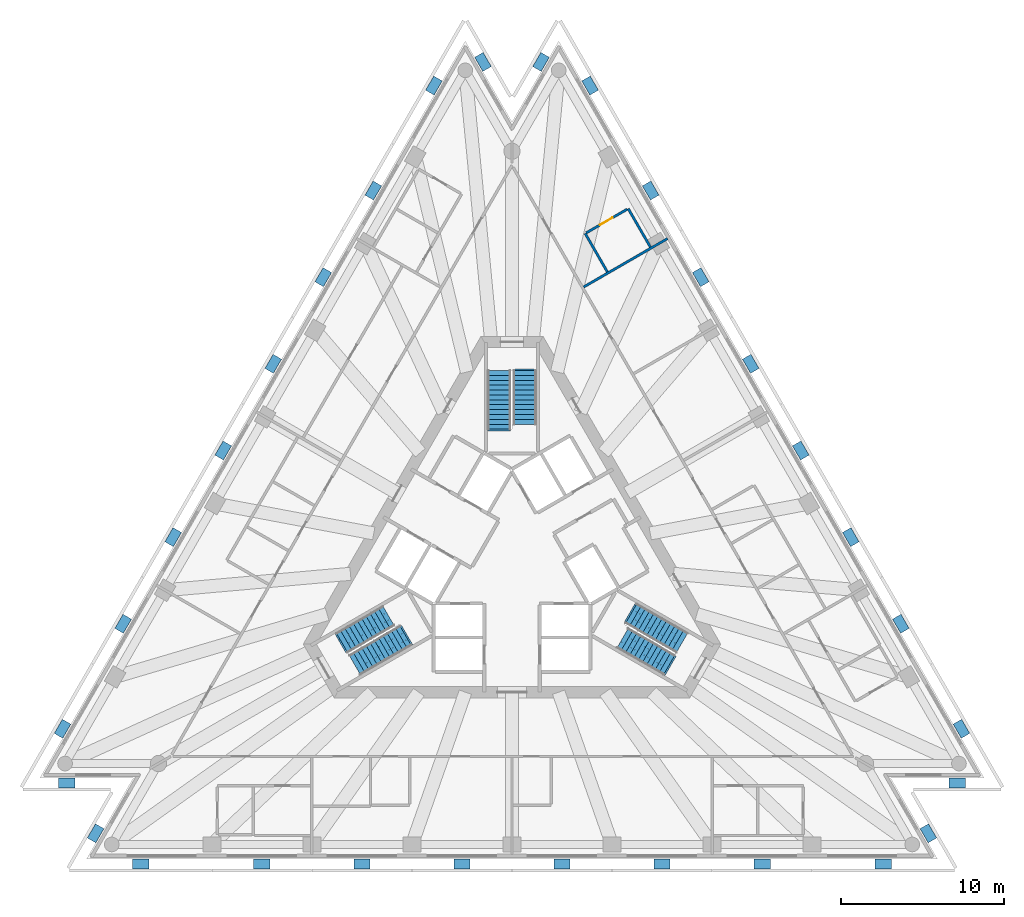
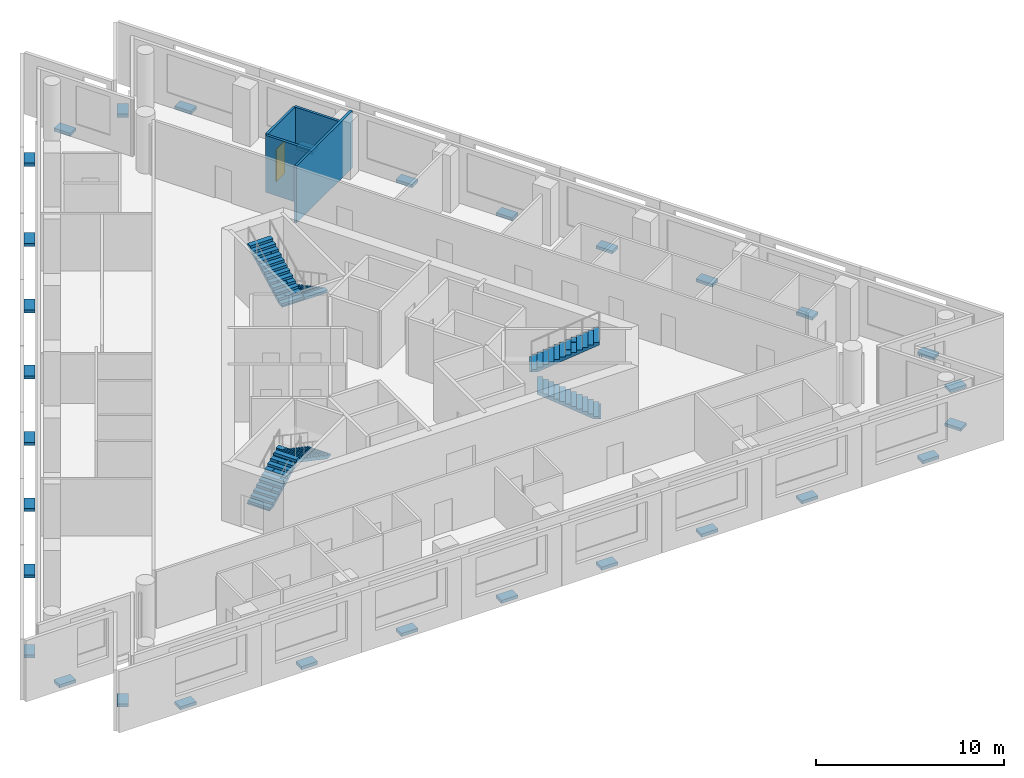
# One storey, part 7 of 9: 30 discrete accessories, 6 stair flights, 4 walls, 1 door, 1 opening, 3 elements without a shape of their own.
"""IFC4 building model written with IfcOpenShell, lengths in metres."""

from ifc_helpers import new_model, si_unit, direction, frame, frame_2d, origin, origin_2d, place, context, subcontext, project, spatial, polyline, rectangle, outline, extrude, material, layer, layer_set, type_object, element, fill, aggregate, save


model = new_model("IFC4")

# Units and contexts
model_context = context("Model", 3, precision=1e-05, world=origin(), true_north=direction((0.0, 1.0)))
body_context = subcontext(model_context, "Body", "Model", "MODEL_VIEW")
ifc_project = project(units=[si_unit("LENGTHUNIT", "METRE"), si_unit("AREAUNIT", "SQUARE_METRE"), si_unit("VOLUMEUNIT", "CUBIC_METRE"), si_unit("PLANEANGLEUNIT", "RADIAN"), si_unit("MASSUNIT", "GRAM", prefix="KILO")], contexts=[model_context])

# Site, building, storey
site_placement = place(None, origin())
site = spatial("IfcSite", under=ifc_project, at=site_placement, CompositionType="ELEMENT")
building_placement = place(site_placement, origin())
building = spatial("IfcBuilding", under=site, at=building_placement, Name="Triada Interchange Tower", CompositionType="ELEMENT")
storey_placement = place(building_placement, frame((0.0, 0.0, 211.300048828125)))
storey = spatial("IfcBuildingStorey", under=building, at=storey_placement, Name="L49", CompositionType="ELEMENT", Elevation=211.300048828125)

# Walls
ifc_material_1 = material(Name="Gypsum board partition")
ifc_layer_1 = layer(ifc_material_1, 0.14990234375)
ifc_layer_set_1 = layer_set([ifc_layer_1], Name="PARTITION 150 EI 180")
wall_type_1 = type_object("IfcWallType", Name="PARTITION 150 EI 180", PredefinedType="PARTITIONING", material=ifc_layer_set_1)
wall_1_placement = place(storey_placement, frame((4.39990234375, 16.72998046875, 0.0), z_axis=(0.0, 0.0, 1.0), x_axis=(0.866064581528, 0.499932136017, 0.0)))
element("IfcWall", 1, at=wall_1_placement, inside=storey, type_object=wall_type_1, Name="Wall L47 23", PredefinedType="PARTITIONING", context=body_context, shape_type="SweptSolid", body=[
    extrude(rectangle(XDim=5.946533203125, YDim=0.14990234375, at=frame_2d((2.97314453125, 0.0))), origin(), (0.0, 0.0, 1.0), 3.699951171875),
])
ifc_layer_2 = layer(ifc_material_1, 0.14990234375)
ifc_layer_set_2 = layer_set([ifc_layer_2], Name="PARTITION 150 EI 90")
wall_type_2 = type_object("IfcWallType", Name="PARTITION 150 EI 90", PredefinedType="PARTITIONING", material=ifc_layer_set_2)
for number, where, z_axis, x_axis, name in (
    (2, (7.135986328125, 21.5419921875, 0.0), (0.0, 0.0, 1.0), (0.499849133735, -0.866112488944, 0.0), "Wall L47 46"),
    (3, (4.493896484375, 20.01708984375, 0.0), (0.0, 0.0, 1.0), (0.499849133735, -0.866112488944, 0.0), "Wall L47 48"),
):
    element("IfcWall", number, at=place(storey_placement, frame(where, z_axis=z_axis, x_axis=x_axis)), inside=storey, type_object=wall_type_2, Name=name, PredefinedType="PARTITIONING", context=body_context, shape_type="SweptSolid", body=[
        extrude(rectangle(XDim=2.724853515625, YDim=0.14990234375, at=frame_2d((1.3623046875, 0.0))), origin(), (0.0, 0.0, 1.0), 3.699951171875),
    ])

# Wall, opening, door
wall_2_placement = place(storey_placement, frame((4.55908203125, 20.053955078125, 0.0), z_axis=(0.0, 0.0, 1.0), x_axis=(0.865929066901, 0.500166823267, 0.0)))
wall_2 = element("IfcWall", 4, at=wall_2_placement, inside=storey, type_object=wall_type_2, Name="Wall L47 52", PredefinedType="PARTITIONING", context=body_context, shape_type="SweptSolid", body=[
    extrude(rectangle(XDim=2.90087890625, YDim=0.14990234375, at=frame_2d((1.450439453125, 0.0))), origin(), (0.0, 0.0, 1.0), 3.699951171875),
])
opening_placement = place(wall_2_placement, frame((0.97509765625, 0.0, 0.0)))
opening = element("IfcOpeningElement", 5, at=opening_placement, cuts=wall_2, Name="Opening D47-32", PredefinedType="OPENING", context=body_context, shape_type="SweptSolid", body=[
    extrude(rectangle(XDim=0.89990234375, YDim=2.10009765625, at=frame_2d((0.449951171875, 1.050048828125))), frame((0.0, 0.0849609375, 0.0), z_axis=(0.0, -1.0, 0.0), x_axis=(1.0, 0.0, 0.0)), (0.0, 0.0, 1.0), 0.169921875),
])
ifc_material_2 = material(Name="Steel S235 door leaf", Category="steel")
door_type = type_object("IfcDoorType", Name="ROOM DOOR 900 EI2 45-C5S200", OperationType="NOTDEFINED", PredefinedType="DOOR", material=ifc_material_2)
door_placement = place(opening_placement, origin())
door = element("IfcDoor", 6, at=door_placement, inside=storey, type_object=door_type, Name="Door D47-32 L49", OperationType="SINGLE_SWING_LEFT", OverallHeight=2.10009765625, OverallWidth=0.89990234375, PredefinedType="DOOR", context=body_context, shape_type="SweptSolid", body=[
    extrude(rectangle(XDim=0.89990234375, YDim=2.10009765625, at=frame_2d((0.449951171875, 1.050048828125))), frame((0.0, 0.02490234375, 0.0), z_axis=(0.0, -1.0, 0.0), x_axis=(1.0, 0.0, 0.0)), (0.0, 0.0, 1.0), 0.050048828125),
])
fill(opening, door)

# Stair, stair flights
ifc_material_3 = material(Name="Concrete C35/45", Category="concrete")
stair_type = type_object("IfcStairType", Name="HALF TURN STAIR 1400", PredefinedType="HALF_TURN_STAIR", material=ifc_material_3)
stair_1_placement = place(storey_placement, origin())
stair_1 = element("IfcStair", 7, at=stair_1_placement, inside=storey, type_object=stair_type, Name="Exit stair S47-1", PredefinedType="HALF_TURN_STAIR")
stair_flight_type = type_object("IfcStairFlightType", Name="STRAIGHT STAIR FLIGHT 1400", PredefinedType="STRAIGHT", material=ifc_material_3)
stair_flight_1_placement = place(storey_placement, frame((0.800048828125, 11.60009765625, 0.0), z_axis=(0.0, 0.0, 1.0), x_axis=(0.0, -1.0, 0.0)))
stair_flight_1 = element("IfcStairFlight", 8, at=stair_flight_1_placement, type_object=stair_flight_type, Name="S47-1 flight 1", NumberOfRisers=12, NumberOfTreads=11, PredefinedType="STRAIGHT", RiserHeight=0.16, TreadLength=0.3, context=body_context, shape_type="SweptSolid", body=[
    extrude(outline(polyline([(-0.10009765625, 0.0), (-0.10009765625, 0.02001953125), (0.0, 0.02001953125), (0.0, 0.159912109375), (0.300048828125, 0.159912109375), (0.300048828125, 0.320068359375), (0.60009765625, 0.320068359375), (0.60009765625, 0.47998046875), (0.89990234375, 0.47998046875), (0.89990234375, 0.639892578125), (1.199951171875, 0.639892578125), (1.199951171875, 0.800048828125), (1.5, 0.800048828125), (1.5, 0.9599609375), (1.800048828125, 0.9599609375), (1.800048828125, 1.1201171875), (2.10009765625, 1.1201171875), (2.10009765625, 1.280029296875), (2.39990234375, 1.280029296875), (2.39990234375, 1.43994140625), (2.699951171875, 1.43994140625), (2.699951171875, 1.60009765625), (3.0, 1.60009765625), (3.0, 1.760009765625), (3.300048828125, 1.760009765625), (3.303955078125, 1.760009765625), (3.303955078125, 1.919921875), (3.303955078125, 1.590087890625), (0.318603515625, 0.0), (-0.10009765625, 0.0)])), frame((0.0, 0.699951171875, 0.0), z_axis=(0.0, -1.0, 0.0), x_axis=(1.0, 0.0, 0.0)), (0.0, 0.0, 1.0), 0.46533203125),
    extrude(outline(polyline([(-0.10009765625, 0.0), (-0.10009765625, 0.02001953125), (0.0, 0.02001953125), (0.0, 0.159912109375), (0.300048828125, 0.159912109375), (0.300048828125, 0.320068359375), (0.60009765625, 0.320068359375), (0.60009765625, 0.47998046875), (0.89990234375, 0.47998046875), (0.89990234375, 0.639892578125), (1.199951171875, 0.639892578125), (1.199951171875, 0.800048828125), (1.5, 0.800048828125), (1.5, 0.9599609375), (1.800048828125, 0.9599609375), (1.800048828125, 1.1201171875), (2.10009765625, 1.1201171875), (2.10009765625, 1.280029296875), (2.39990234375, 1.280029296875), (2.39990234375, 1.43994140625), (2.699951171875, 1.43994140625), (2.699951171875, 1.60009765625), (3.0, 1.60009765625), (3.0, 1.760009765625), (3.300048828125, 1.760009765625), (3.303955078125, 1.760009765625), (3.303955078125, 1.919921875), (3.303955078125, 1.590087890625), (0.318603515625, 0.0), (-0.10009765625, 0.0)])), frame((0.0, 0.232666015625, 0.0), z_axis=(0.0, -1.0, 0.0), x_axis=(1.0, 0.0, 0.0)), (0.0, 0.0, 1.0), 0.46533203125),
    extrude(outline(polyline([(-0.10009765625, 0.0), (-0.10009765625, 0.02001953125), (0.0, 0.02001953125), (0.0, 0.159912109375), (0.300048828125, 0.159912109375), (0.300048828125, 0.320068359375), (0.60009765625, 0.320068359375), (0.60009765625, 0.47998046875), (0.89990234375, 0.47998046875), (0.89990234375, 0.639892578125), (1.199951171875, 0.639892578125), (1.199951171875, 0.800048828125), (1.5, 0.800048828125), (1.5, 0.9599609375), (1.800048828125, 0.9599609375), (1.800048828125, 1.1201171875), (2.10009765625, 1.1201171875), (2.10009765625, 1.280029296875), (2.39990234375, 1.280029296875), (2.39990234375, 1.43994140625), (2.699951171875, 1.43994140625), (2.699951171875, 1.60009765625), (3.0, 1.60009765625), (3.0, 1.760009765625), (3.300048828125, 1.760009765625), (3.303955078125, 1.760009765625), (3.303955078125, 1.919921875), (3.303955078125, 1.590087890625), (0.318603515625, 0.0), (-0.10009765625, 0.0)])), frame((0.0, -0.234619140625, 0.0), z_axis=(0.0, -1.0, 0.0), x_axis=(1.0, 0.0, 0.0)), (0.0, 0.0, 1.0), 0.46533203125),
])
stair_flight_2_placement = place(storey_placement, frame((-0.800048828125, 8.0, 1.919921875), z_axis=(0.0, 0.0, 1.0), x_axis=(0.0, 1.0, 0.0)))
stair_flight_2 = element("IfcStairFlight", 9, at=stair_flight_2_placement, type_object=stair_flight_type, Name="S47-1 flight 2", NumberOfRisers=13, NumberOfTreads=12, PredefinedType="STRAIGHT", RiserHeight=0.16, TreadLength=0.3, context=body_context, shape_type="SweptSolid", body=[
    extrude(outline(polyline([(-0.10009765625, 0.0), (-0.10009765625, 0.02001953125), (0.0, 0.02001953125), (0.0, 0.159912109375), (0.300048828125, 0.159912109375), (0.300048828125, 0.320068359375), (0.60009765625, 0.320068359375), (0.60009765625, 0.47998046875), (0.89990234375, 0.47998046875), (0.89990234375, 0.639892578125), (1.199951171875, 0.639892578125), (1.199951171875, 0.800048828125), (1.5, 0.800048828125), (1.5, 0.9599609375), (1.800048828125, 0.9599609375), (1.800048828125, 1.1201171875), (2.10009765625, 1.1201171875), (2.10009765625, 1.280029296875), (2.39990234375, 1.280029296875), (2.39990234375, 1.43994140625), (2.699951171875, 1.43994140625), (2.699951171875, 1.60009765625), (3.0, 1.60009765625), (3.0, 1.760009765625), (3.300048828125, 1.760009765625), (3.300048828125, 1.919921875), (3.60009765625, 1.919921875), (3.60400390625, 1.919921875), (3.60400390625, 2.080078125), (3.60400390625, 1.75), (0.318603515625, 0.0), (-0.10009765625, 0.0)])), frame((0.0, 0.699951171875, 0.0), z_axis=(0.0, -1.0, 0.0), x_axis=(1.0, 0.0, 0.0)), (0.0, 0.0, 1.0), 0.46533203125),
    extrude(outline(polyline([(-0.10009765625, 0.0), (-0.10009765625, 0.02001953125), (0.0, 0.02001953125), (0.0, 0.159912109375), (0.300048828125, 0.159912109375), (0.300048828125, 0.320068359375), (0.60009765625, 0.320068359375), (0.60009765625, 0.47998046875), (0.89990234375, 0.47998046875), (0.89990234375, 0.639892578125), (1.199951171875, 0.639892578125), (1.199951171875, 0.800048828125), (1.5, 0.800048828125), (1.5, 0.9599609375), (1.800048828125, 0.9599609375), (1.800048828125, 1.1201171875), (2.10009765625, 1.1201171875), (2.10009765625, 1.280029296875), (2.39990234375, 1.280029296875), (2.39990234375, 1.43994140625), (2.699951171875, 1.43994140625), (2.699951171875, 1.60009765625), (3.0, 1.60009765625), (3.0, 1.760009765625), (3.300048828125, 1.760009765625), (3.300048828125, 1.919921875), (3.60009765625, 1.919921875), (3.60400390625, 1.919921875), (3.60400390625, 2.080078125), (3.60400390625, 1.75), (0.318603515625, 0.0), (-0.10009765625, 0.0)])), frame((0.0, 0.232666015625, 0.0), z_axis=(0.0, -1.0, 0.0), x_axis=(1.0, 0.0, 0.0)), (0.0, 0.0, 1.0), 0.46533203125),
    extrude(outline(polyline([(-0.10009765625, 0.0), (-0.10009765625, 0.02001953125), (0.0, 0.02001953125), (0.0, 0.159912109375), (0.300048828125, 0.159912109375), (0.300048828125, 0.320068359375), (0.60009765625, 0.320068359375), (0.60009765625, 0.47998046875), (0.89990234375, 0.47998046875), (0.89990234375, 0.639892578125), (1.199951171875, 0.639892578125), (1.199951171875, 0.800048828125), (1.5, 0.800048828125), (1.5, 0.9599609375), (1.800048828125, 0.9599609375), (1.800048828125, 1.1201171875), (2.10009765625, 1.1201171875), (2.10009765625, 1.280029296875), (2.39990234375, 1.280029296875), (2.39990234375, 1.43994140625), (2.699951171875, 1.43994140625), (2.699951171875, 1.60009765625), (3.0, 1.60009765625), (3.0, 1.760009765625), (3.300048828125, 1.760009765625), (3.300048828125, 1.919921875), (3.60009765625, 1.919921875), (3.60400390625, 1.919921875), (3.60400390625, 2.080078125), (3.60400390625, 1.75), (0.318603515625, 0.0), (-0.10009765625, 0.0)])), frame((0.0, -0.234619140625, 0.0), z_axis=(0.0, -1.0, 0.0), x_axis=(1.0, 0.0, 0.0)), (0.0, 0.0, 1.0), 0.46533203125),
])
aggregate(stair_1, [stair_flight_1, stair_flight_2])

stair_2_placement = place(storey_placement, origin())
stair_2 = element("IfcStair", 10, at=stair_2_placement, inside=storey, type_object=stair_type, Name="Exit stair S47-2", PredefinedType="HALF_TURN_STAIR")
stair_flight_3_placement = place(storey_placement, frame((-10.446044921875, -5.10693359375, 0.0), z_axis=(0.0, 0.0, 1.0), x_axis=(0.866025403784, 0.5, 0.0)))
stair_flight_3 = element("IfcStairFlight", 11, at=stair_flight_3_placement, type_object=stair_flight_type, Name="S47-2 flight 1", NumberOfRisers=12, NumberOfTreads=11, PredefinedType="STRAIGHT", RiserHeight=0.16, TreadLength=0.3, context=body_context, shape_type="SweptSolid", body=[
    extrude(outline(polyline([(-0.10009765625, 0.0), (-0.10009765625, 0.02001953125), (0.0, 0.02001953125), (0.0, 0.159912109375), (0.300048828125, 0.159912109375), (0.300048828125, 0.320068359375), (0.60009765625, 0.320068359375), (0.60009765625, 0.47998046875), (0.89990234375, 0.47998046875), (0.89990234375, 0.639892578125), (1.199951171875, 0.639892578125), (1.199951171875, 0.800048828125), (1.5, 0.800048828125), (1.5, 0.9599609375), (1.800048828125, 0.9599609375), (1.800048828125, 1.1201171875), (2.10009765625, 1.1201171875), (2.10009765625, 1.280029296875), (2.39990234375, 1.280029296875), (2.39990234375, 1.43994140625), (2.699951171875, 1.43994140625), (2.699951171875, 1.60009765625), (3.0, 1.60009765625), (3.0, 1.760009765625), (3.300048828125, 1.760009765625), (3.303955078125, 1.760009765625), (3.303955078125, 1.919921875), (3.303955078125, 1.590087890625), (0.318603515625, 0.0), (-0.10009765625, 0.0)])), frame((0.0, 0.699951171875, 0.0), z_axis=(0.0, -1.0, 0.0), x_axis=(1.0, 0.0, 0.0)), (0.0, 0.0, 1.0), 0.46533203125),
    extrude(outline(polyline([(-0.10009765625, 0.0), (-0.10009765625, 0.02001953125), (0.0, 0.02001953125), (0.0, 0.159912109375), (0.300048828125, 0.159912109375), (0.300048828125, 0.320068359375), (0.60009765625, 0.320068359375), (0.60009765625, 0.47998046875), (0.89990234375, 0.47998046875), (0.89990234375, 0.639892578125), (1.199951171875, 0.639892578125), (1.199951171875, 0.800048828125), (1.5, 0.800048828125), (1.5, 0.9599609375), (1.800048828125, 0.9599609375), (1.800048828125, 1.1201171875), (2.10009765625, 1.1201171875), (2.10009765625, 1.280029296875), (2.39990234375, 1.280029296875), (2.39990234375, 1.43994140625), (2.699951171875, 1.43994140625), (2.699951171875, 1.60009765625), (3.0, 1.60009765625), (3.0, 1.760009765625), (3.300048828125, 1.760009765625), (3.303955078125, 1.760009765625), (3.303955078125, 1.919921875), (3.303955078125, 1.590087890625), (0.318603515625, 0.0), (-0.10009765625, 0.0)])), frame((0.0, 0.232666015625, 0.0), z_axis=(0.0, -1.0, 0.0), x_axis=(1.0, 0.0, 0.0)), (0.0, 0.0, 1.0), 0.46533203125),
    extrude(outline(polyline([(-0.10009765625, 0.0), (-0.10009765625, 0.02001953125), (0.0, 0.02001953125), (0.0, 0.159912109375), (0.300048828125, 0.159912109375), (0.300048828125, 0.320068359375), (0.60009765625, 0.320068359375), (0.60009765625, 0.47998046875), (0.89990234375, 0.47998046875), (0.89990234375, 0.639892578125), (1.199951171875, 0.639892578125), (1.199951171875, 0.800048828125), (1.5, 0.800048828125), (1.5, 0.9599609375), (1.800048828125, 0.9599609375), (1.800048828125, 1.1201171875), (2.10009765625, 1.1201171875), (2.10009765625, 1.280029296875), (2.39990234375, 1.280029296875), (2.39990234375, 1.43994140625), (2.699951171875, 1.43994140625), (2.699951171875, 1.60009765625), (3.0, 1.60009765625), (3.0, 1.760009765625), (3.300048828125, 1.760009765625), (3.303955078125, 1.760009765625), (3.303955078125, 1.919921875), (3.303955078125, 1.590087890625), (0.318603515625, 0.0), (-0.10009765625, 0.0)])), frame((0.0, -0.234619140625, 0.0), z_axis=(0.0, -1.0, 0.0), x_axis=(1.0, 0.0, 0.0)), (0.0, 0.0, 1.0), 0.46533203125),
])
stair_flight_4_placement = place(storey_placement, frame((-6.528076171875, -4.693115234375, 1.919921875), z_axis=(0.0, 0.0, 1.0), x_axis=(-0.866025403784, -0.5, 0.0)))
stair_flight_4 = element("IfcStairFlight", 12, at=stair_flight_4_placement, type_object=stair_flight_type, Name="S47-2 flight 2", NumberOfRisers=13, NumberOfTreads=12, PredefinedType="STRAIGHT", RiserHeight=0.16, TreadLength=0.3, context=body_context, shape_type="SweptSolid", body=[
    extrude(outline(polyline([(-0.10009765625, 0.0), (-0.10009765625, 0.02001953125), (0.0, 0.02001953125), (0.0, 0.159912109375), (0.300048828125, 0.159912109375), (0.300048828125, 0.320068359375), (0.60009765625, 0.320068359375), (0.60009765625, 0.47998046875), (0.89990234375, 0.47998046875), (0.89990234375, 0.639892578125), (1.199951171875, 0.639892578125), (1.199951171875, 0.800048828125), (1.5, 0.800048828125), (1.5, 0.9599609375), (1.800048828125, 0.9599609375), (1.800048828125, 1.1201171875), (2.10009765625, 1.1201171875), (2.10009765625, 1.280029296875), (2.39990234375, 1.280029296875), (2.39990234375, 1.43994140625), (2.699951171875, 1.43994140625), (2.699951171875, 1.60009765625), (3.0, 1.60009765625), (3.0, 1.760009765625), (3.300048828125, 1.760009765625), (3.300048828125, 1.919921875), (3.60009765625, 1.919921875), (3.60400390625, 1.919921875), (3.60400390625, 2.080078125), (3.60400390625, 1.75), (0.318603515625, 0.0), (-0.10009765625, 0.0)])), frame((0.0, 0.699951171875, 0.0), z_axis=(0.0, -1.0, 0.0), x_axis=(1.0, 0.0, 0.0)), (0.0, 0.0, 1.0), 0.46533203125),
    extrude(outline(polyline([(-0.10009765625, 0.0), (-0.10009765625, 0.02001953125), (0.0, 0.02001953125), (0.0, 0.159912109375), (0.300048828125, 0.159912109375), (0.300048828125, 0.320068359375), (0.60009765625, 0.320068359375), (0.60009765625, 0.47998046875), (0.89990234375, 0.47998046875), (0.89990234375, 0.639892578125), (1.199951171875, 0.639892578125), (1.199951171875, 0.800048828125), (1.5, 0.800048828125), (1.5, 0.9599609375), (1.800048828125, 0.9599609375), (1.800048828125, 1.1201171875), (2.10009765625, 1.1201171875), (2.10009765625, 1.280029296875), (2.39990234375, 1.280029296875), (2.39990234375, 1.43994140625), (2.699951171875, 1.43994140625), (2.699951171875, 1.60009765625), (3.0, 1.60009765625), (3.0, 1.760009765625), (3.300048828125, 1.760009765625), (3.300048828125, 1.919921875), (3.60009765625, 1.919921875), (3.60400390625, 1.919921875), (3.60400390625, 2.080078125), (3.60400390625, 1.75), (0.318603515625, 0.0), (-0.10009765625, 0.0)])), frame((0.0, 0.232666015625, 0.0), z_axis=(0.0, -1.0, 0.0), x_axis=(1.0, 0.0, 0.0)), (0.0, 0.0, 1.0), 0.46533203125),
    extrude(outline(polyline([(-0.10009765625, 0.0), (-0.10009765625, 0.02001953125), (0.0, 0.02001953125), (0.0, 0.159912109375), (0.300048828125, 0.159912109375), (0.300048828125, 0.320068359375), (0.60009765625, 0.320068359375), (0.60009765625, 0.47998046875), (0.89990234375, 0.47998046875), (0.89990234375, 0.639892578125), (1.199951171875, 0.639892578125), (1.199951171875, 0.800048828125), (1.5, 0.800048828125), (1.5, 0.9599609375), (1.800048828125, 0.9599609375), (1.800048828125, 1.1201171875), (2.10009765625, 1.1201171875), (2.10009765625, 1.280029296875), (2.39990234375, 1.280029296875), (2.39990234375, 1.43994140625), (2.699951171875, 1.43994140625), (2.699951171875, 1.60009765625), (3.0, 1.60009765625), (3.0, 1.760009765625), (3.300048828125, 1.760009765625), (3.300048828125, 1.919921875), (3.60009765625, 1.919921875), (3.60400390625, 1.919921875), (3.60400390625, 2.080078125), (3.60400390625, 1.75), (0.318603515625, 0.0), (-0.10009765625, 0.0)])), frame((0.0, -0.234619140625, 0.0), z_axis=(0.0, -1.0, 0.0), x_axis=(1.0, 0.0, 0.0)), (0.0, 0.0, 1.0), 0.46533203125),
])
aggregate(stair_2, [stair_flight_3, stair_flight_4])

stair_3_placement = place(storey_placement, origin())
stair_3 = element("IfcStair", 13, at=stair_3_placement, inside=storey, type_object=stair_type, Name="Exit stair S47-3", PredefinedType="HALF_TURN_STAIR")
stair_flight_5_placement = place(storey_placement, frame((9.64599609375, -6.492919921875, 0.0), z_axis=(0.0, 0.0, 1.0), x_axis=(-0.866025403784, 0.5, 0.0)))
stair_flight_5 = element("IfcStairFlight", 14, at=stair_flight_5_placement, type_object=stair_flight_type, Name="S47-3 flight 1", NumberOfRisers=12, NumberOfTreads=11, PredefinedType="STRAIGHT", RiserHeight=0.16, TreadLength=0.3, context=body_context, shape_type="SweptSolid", body=[
    extrude(outline(polyline([(-0.10009765625, 0.0), (-0.10009765625, 0.02001953125), (0.0, 0.02001953125), (0.0, 0.159912109375), (0.300048828125, 0.159912109375), (0.300048828125, 0.320068359375), (0.60009765625, 0.320068359375), (0.60009765625, 0.47998046875), (0.89990234375, 0.47998046875), (0.89990234375, 0.639892578125), (1.199951171875, 0.639892578125), (1.199951171875, 0.800048828125), (1.5, 0.800048828125), (1.5, 0.9599609375), (1.800048828125, 0.9599609375), (1.800048828125, 1.1201171875), (2.10009765625, 1.1201171875), (2.10009765625, 1.280029296875), (2.39990234375, 1.280029296875), (2.39990234375, 1.43994140625), (2.699951171875, 1.43994140625), (2.699951171875, 1.60009765625), (3.0, 1.60009765625), (3.0, 1.760009765625), (3.300048828125, 1.760009765625), (3.303955078125, 1.760009765625), (3.303955078125, 1.919921875), (3.303955078125, 1.590087890625), (0.318603515625, 0.0), (-0.10009765625, 0.0)])), frame((0.0, 0.699951171875, 0.0), z_axis=(0.0, -1.0, 0.0), x_axis=(1.0, 0.0, 0.0)), (0.0, 0.0, 1.0), 0.46533203125),
    extrude(outline(polyline([(-0.10009765625, 0.0), (-0.10009765625, 0.02001953125), (0.0, 0.02001953125), (0.0, 0.159912109375), (0.300048828125, 0.159912109375), (0.300048828125, 0.320068359375), (0.60009765625, 0.320068359375), (0.60009765625, 0.47998046875), (0.89990234375, 0.47998046875), (0.89990234375, 0.639892578125), (1.199951171875, 0.639892578125), (1.199951171875, 0.800048828125), (1.5, 0.800048828125), (1.5, 0.9599609375), (1.800048828125, 0.9599609375), (1.800048828125, 1.1201171875), (2.10009765625, 1.1201171875), (2.10009765625, 1.280029296875), (2.39990234375, 1.280029296875), (2.39990234375, 1.43994140625), (2.699951171875, 1.43994140625), (2.699951171875, 1.60009765625), (3.0, 1.60009765625), (3.0, 1.760009765625), (3.300048828125, 1.760009765625), (3.303955078125, 1.760009765625), (3.303955078125, 1.919921875), (3.303955078125, 1.590087890625), (0.318603515625, 0.0), (-0.10009765625, 0.0)])), frame((0.0, 0.232666015625, 0.0), z_axis=(0.0, -1.0, 0.0), x_axis=(1.0, 0.0, 0.0)), (0.0, 0.0, 1.0), 0.46533203125),
    extrude(outline(polyline([(-0.10009765625, 0.0), (-0.10009765625, 0.02001953125), (0.0, 0.02001953125), (0.0, 0.159912109375), (0.300048828125, 0.159912109375), (0.300048828125, 0.320068359375), (0.60009765625, 0.320068359375), (0.60009765625, 0.47998046875), (0.89990234375, 0.47998046875), (0.89990234375, 0.639892578125), (1.199951171875, 0.639892578125), (1.199951171875, 0.800048828125), (1.5, 0.800048828125), (1.5, 0.9599609375), (1.800048828125, 0.9599609375), (1.800048828125, 1.1201171875), (2.10009765625, 1.1201171875), (2.10009765625, 1.280029296875), (2.39990234375, 1.280029296875), (2.39990234375, 1.43994140625), (2.699951171875, 1.43994140625), (2.699951171875, 1.60009765625), (3.0, 1.60009765625), (3.0, 1.760009765625), (3.300048828125, 1.760009765625), (3.303955078125, 1.760009765625), (3.303955078125, 1.919921875), (3.303955078125, 1.590087890625), (0.318603515625, 0.0), (-0.10009765625, 0.0)])), frame((0.0, -0.234619140625, 0.0), z_axis=(0.0, -1.0, 0.0), x_axis=(1.0, 0.0, 0.0)), (0.0, 0.0, 1.0), 0.46533203125),
])
stair_flight_6_placement = place(storey_placement, frame((7.327880859375, -3.306884765625, 1.919921875), z_axis=(0.0, 0.0, 1.0), x_axis=(0.866025403784, -0.5, 0.0)))
stair_flight_6 = element("IfcStairFlight", 15, at=stair_flight_6_placement, type_object=stair_flight_type, Name="S47-3 flight 2", NumberOfRisers=13, NumberOfTreads=12, PredefinedType="STRAIGHT", RiserHeight=0.16, TreadLength=0.3, context=body_context, shape_type="SweptSolid", body=[
    extrude(outline(polyline([(-0.10009765625, 0.0), (-0.10009765625, 0.02001953125), (0.0, 0.02001953125), (0.0, 0.159912109375), (0.300048828125, 0.159912109375), (0.300048828125, 0.320068359375), (0.60009765625, 0.320068359375), (0.60009765625, 0.47998046875), (0.89990234375, 0.47998046875), (0.89990234375, 0.639892578125), (1.199951171875, 0.639892578125), (1.199951171875, 0.800048828125), (1.5, 0.800048828125), (1.5, 0.9599609375), (1.800048828125, 0.9599609375), (1.800048828125, 1.1201171875), (2.10009765625, 1.1201171875), (2.10009765625, 1.280029296875), (2.39990234375, 1.280029296875), (2.39990234375, 1.43994140625), (2.699951171875, 1.43994140625), (2.699951171875, 1.60009765625), (3.0, 1.60009765625), (3.0, 1.760009765625), (3.300048828125, 1.760009765625), (3.300048828125, 1.919921875), (3.60009765625, 1.919921875), (3.60400390625, 1.919921875), (3.60400390625, 2.080078125), (3.60400390625, 1.75), (0.318603515625, 0.0), (-0.10009765625, 0.0)])), frame((0.0, 0.699951171875, 0.0), z_axis=(0.0, -1.0, 0.0), x_axis=(1.0, 0.0, 0.0)), (0.0, 0.0, 1.0), 0.46533203125),
    extrude(outline(polyline([(-0.10009765625, 0.0), (-0.10009765625, 0.02001953125), (0.0, 0.02001953125), (0.0, 0.159912109375), (0.300048828125, 0.159912109375), (0.300048828125, 0.320068359375), (0.60009765625, 0.320068359375), (0.60009765625, 0.47998046875), (0.89990234375, 0.47998046875), (0.89990234375, 0.639892578125), (1.199951171875, 0.639892578125), (1.199951171875, 0.800048828125), (1.5, 0.800048828125), (1.5, 0.9599609375), (1.800048828125, 0.9599609375), (1.800048828125, 1.1201171875), (2.10009765625, 1.1201171875), (2.10009765625, 1.280029296875), (2.39990234375, 1.280029296875), (2.39990234375, 1.43994140625), (2.699951171875, 1.43994140625), (2.699951171875, 1.60009765625), (3.0, 1.60009765625), (3.0, 1.760009765625), (3.300048828125, 1.760009765625), (3.300048828125, 1.919921875), (3.60009765625, 1.919921875), (3.60400390625, 1.919921875), (3.60400390625, 2.080078125), (3.60400390625, 1.75), (0.318603515625, 0.0), (-0.10009765625, 0.0)])), frame((0.0, 0.232666015625, 0.0), z_axis=(0.0, -1.0, 0.0), x_axis=(1.0, 0.0, 0.0)), (0.0, 0.0, 1.0), 0.46533203125),
    extrude(outline(polyline([(-0.10009765625, 0.0), (-0.10009765625, 0.02001953125), (0.0, 0.02001953125), (0.0, 0.159912109375), (0.300048828125, 0.159912109375), (0.300048828125, 0.320068359375), (0.60009765625, 0.320068359375), (0.60009765625, 0.47998046875), (0.89990234375, 0.47998046875), (0.89990234375, 0.639892578125), (1.199951171875, 0.639892578125), (1.199951171875, 0.800048828125), (1.5, 0.800048828125), (1.5, 0.9599609375), (1.800048828125, 0.9599609375), (1.800048828125, 1.1201171875), (2.10009765625, 1.1201171875), (2.10009765625, 1.280029296875), (2.39990234375, 1.280029296875), (2.39990234375, 1.43994140625), (2.699951171875, 1.43994140625), (2.699951171875, 1.60009765625), (3.0, 1.60009765625), (3.0, 1.760009765625), (3.300048828125, 1.760009765625), (3.300048828125, 1.919921875), (3.60009765625, 1.919921875), (3.60400390625, 1.919921875), (3.60400390625, 2.080078125), (3.60400390625, 1.75), (0.318603515625, 0.0), (-0.10009765625, 0.0)])), frame((0.0, -0.234619140625, 0.0), z_axis=(0.0, -1.0, 0.0), x_axis=(1.0, 0.0, 0.0)), (0.0, 0.0, 1.0), 0.46533203125),
])
aggregate(stair_3, [stair_flight_5, stair_flight_6])

# Discrete accessories
ifc_material_4 = material(Name="Steel S355", Category="steel")
discrete_accessory_type = type_object("IfcDiscreteAccessoryType", Name="Steel bracket outer skin", PredefinedType="BRACKET", material=ifc_material_4)
for number, where, z_axis, x_axis, name in (
    (16, (-4.794921875, 29.10009765625, -0.27001953125), (0.0, 0.0, 1.0), (-0.86602119751, 0.50000728541, 0.0), "Bracket L49 01"),
    (17, (-8.51611328125, 22.654052734375, -0.27001953125), (0.0, 0.0, 1.0), (-0.86602119751, 0.50000728541, 0.0), "Bracket L49 02"),
    (18, (-11.589111328125, 17.3330078125, -0.27001953125), (0.0, 0.0, 1.0), (-0.86602119751, 0.50000728541, 0.0), "Bracket L49 03"),
    (19, (-14.660888671875, 12.011962890625, -0.27001953125), (0.0, 0.0, 1.0), (-0.86602119751, 0.50000728541, 0.0), "Bracket L49 04"),
    (20, (-17.73291015625, 6.69091796875, -0.27001953125), (0.0, 0.0, 1.0), (-0.86602119751, 0.50000728541, 0.0), "Bracket L49 05"),
    (21, (-20.804931640625, 1.3701171875, -0.27001953125), (0.0, 0.0, 1.0), (-0.86602119751, 0.50000728541, 0.0), "Bracket L49 06"),
    (22, (-23.876953125, -3.950927734375, -0.27001953125), (0.0, 0.0, 1.0), (-0.86602119751, 0.50000728541, 0.0), "Bracket L49 07"),
    (23, (-27.59912109375, -10.39697265625, -0.27001953125), (0.0, 0.0, 1.0), (-0.86602119751, 0.50000728541, 0.0), "Bracket L49 08"),
    (24, (-27.347900390625, -13.73291015625, -0.27001953125), (0.0, 0.0, 1.0), (0.0, -1.0, 0.0), "Bracket L49 09"),
    (25, (-25.568115234375, -16.818115234375, -0.27001953125), (0.0, 0.0, 1.0), (-0.866014346912, 0.500019150576, 0.0), "Bracket L49 10"),
    (26, (-22.803955078125, -18.701904296875, -0.27001953125), (0.0, 0.0, 1.0), (0.0, -1.0, 0.0), "Bracket L49 11"),
    (27, (-15.361083984375, -18.701904296875, -0.27001953125), (0.0, 0.0, 1.0), (0.0, -1.0, 0.0), "Bracket L49 12"),
    (28, (-9.216064453125, -18.701904296875, -0.27001953125), (0.0, 0.0, 1.0), (0.0, -1.0, 0.0), "Bracket L49 13"),
    (29, (-3.072021484375, -18.701904296875, -0.27001953125), (0.0, 0.0, 1.0), (0.0, -1.0, 0.0), "Bracket L49 14"),
    (30, (3.072021484375, -18.701904296875, -0.27001953125), (0.0, 0.0, 1.0), (0.0, -1.0, 0.0), "Bracket L49 15"),
    (31, (9.216064453125, -18.701904296875, -0.27001953125), (0.0, 0.0, 1.0), (0.0, -1.0, 0.0), "Bracket L49 16"),
    (32, (15.361083984375, -18.701904296875, -0.27001953125), (0.0, 0.0, 1.0), (0.0, -1.0, 0.0), "Bracket L49 17"),
    (33, (22.803955078125, -18.701904296875, -0.27001953125), (0.0, 0.0, 1.0), (0.0, -1.0, 0.0), "Bracket L49 18"),
    (34, (25.568115234375, -16.818115234375, -0.27001953125), (0.0, 0.0, 1.0), (0.866014346912, 0.500019150576, 0.0), "Bracket L49 19"),
    (35, (27.347900390625, -13.73291015625, -0.27001953125), (0.0, 0.0, 1.0), (0.0, -1.0, 0.0), "Bracket L49 20"),
    (36, (27.59912109375, -10.39697265625, -0.27001953125), (0.0, 0.0, 1.0), (0.86602119751, 0.50000728541, 0.0), "Bracket L49 21"),
    (37, (23.876953125, -3.950927734375, -0.27001953125), (0.0, 0.0, 1.0), (0.86602119751, 0.50000728541, 0.0), "Bracket L49 22"),
    (38, (20.804931640625, 1.3701171875, -0.27001953125), (0.0, 0.0, 1.0), (0.86602119751, 0.50000728541, 0.0), "Bracket L49 23"),
    (39, (17.73291015625, 6.69091796875, -0.27001953125), (0.0, 0.0, 1.0), (0.86602119751, 0.50000728541, 0.0), "Bracket L49 24"),
    (40, (14.660888671875, 12.011962890625, -0.27001953125), (0.0, 0.0, 1.0), (0.86602119751, 0.50000728541, 0.0), "Bracket L49 25"),
    (41, (11.589111328125, 17.3330078125, -0.27001953125), (0.0, 0.0, 1.0), (0.86602119751, 0.50000728541, 0.0), "Bracket L49 26"),
    (42, (8.51611328125, 22.654052734375, -0.27001953125), (0.0, 0.0, 1.0), (0.86602119751, 0.50000728541, 0.0), "Bracket L49 27"),
    (43, (4.794921875, 29.10009765625, -0.27001953125), (0.0, 0.0, 1.0), (0.86602119751, 0.50000728541, 0.0), "Bracket L49 28"),
    (44, (1.781005859375, 30.551025390625, -0.27001953125), (0.0, 0.0, 1.0), (-0.865970761082, 0.500094631996, 0.0), "Bracket L49 29"),
    (45, (-1.781005859375, 30.551025390625, -0.27001953125), (0.0, 0.0, 1.0), (0.865970761082, 0.500094631996, 0.0), "Bracket L49 30"),
):
    element("IfcDiscreteAccessory", number, at=place(storey_placement, frame(where, z_axis=z_axis, x_axis=x_axis)), inside=storey, type_object=discrete_accessory_type, Name=name, PredefinedType="BRACKET", context=body_context, shape_type="SweptSolid", body=[
        extrude(rectangle(XDim=0.60009765625, YDim=1.0, at=origin_2d()), origin(), (0.0, 0.0, 1.0), 0.199951171875),
    ])

save(model, "model.ifc")
